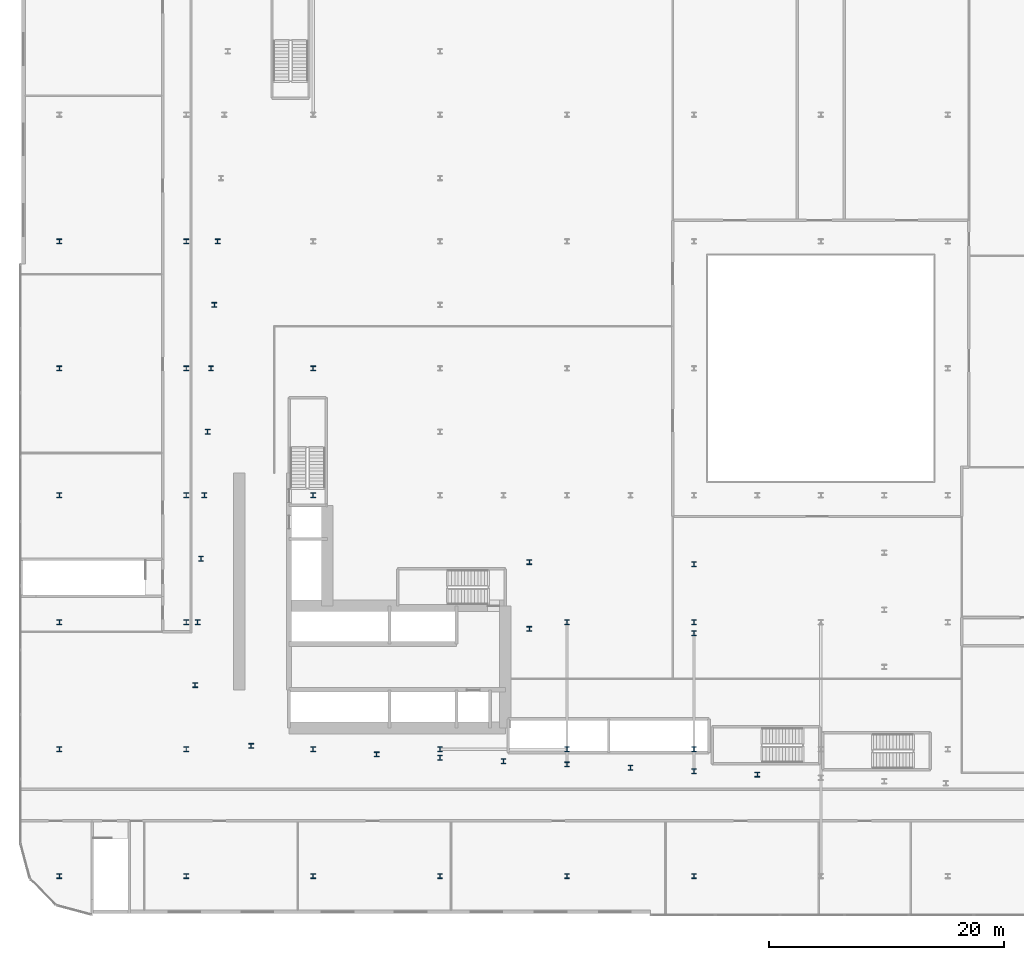
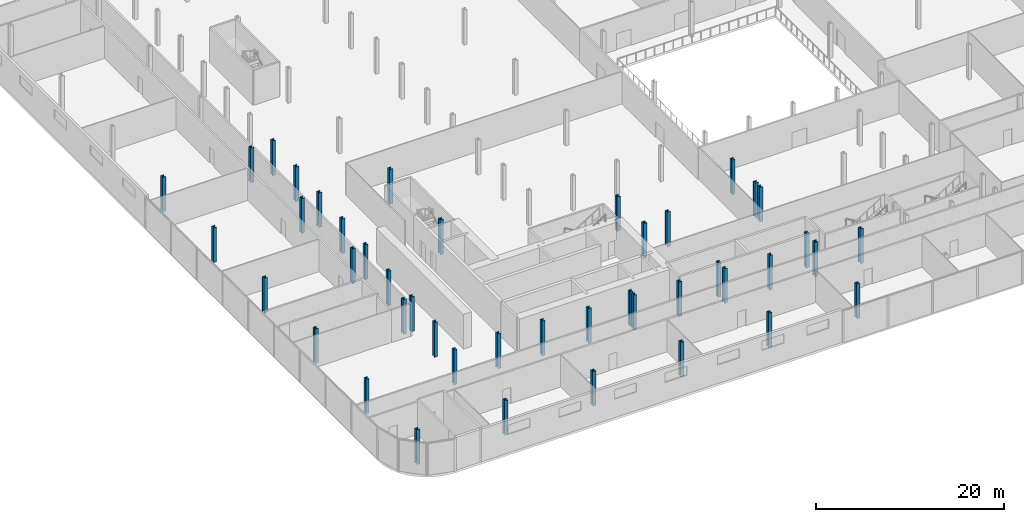
# One storey, part 1 of 43: 44 columns.
"""IFC4 building model written with IfcOpenShell, lengths in metres."""

import ifcopenshell
import ifcopenshell.guid

model = None  # the IFC model being written
_history = None  # IfcOwnerHistory: only IFC2X3 demands one
_inside = {}  # id of a spatial element -> (the spatial element, [elements in it])
_under = {}  # id of a project, library or spatial element -> (it, [spatial elements below it])
_declared = {}  # id of a project -> (the project, [libraries it declares])
_typed = {}  # id of a type object -> (the type object, [elements of that type])
_made_of = {}  # id of a material, layer set ... -> (it, [elements and type objects made of it])


def new_model(schema):
    """Start an empty IFC model of exactly this schema.

    Asked for "IFC4X3", IfcOpenShell would pick the latest addendum, in which some entities
    have other attributes; the version numbers below select the first issue.
    IFC2X3 requires an IfcOwnerHistory on every rooted entity: one is made here for all.
    """
    global model, _history
    if schema == "IFC4X3":
        model = ifcopenshell.file(schema_version=(4, 3, 0, 0))
    else:
        model = ifcopenshell.file(schema=schema)
    _inside.clear()
    _under.clear()
    _declared.clear()
    _typed.clear()
    _made_of.clear()
    _history = None
    if model.schema == "IFC2X3":
        org = make("IfcOrganization", Name="unknown")
        user = make(
            "IfcPersonAndOrganization",
            ThePerson=make("IfcPerson", FamilyName="unknown"),
            TheOrganization=org,
        )
        app = make(
            "IfcApplication",
            ApplicationDeveloper=org,
            Version="unknown",
            ApplicationFullName="unknown",
            ApplicationIdentifier="unknown",
        )
        _history = make(
            "IfcOwnerHistory",
            OwningUser=user,
            OwningApplication=app,
            ChangeAction="ADDED",
            CreationDate=0,
        )
    return model


def make(cls, **values):
    """One entity of the class cls with the attributes given. An attribute that is None is left unset."""
    return model.create_entity(
        cls, **{name: value for name, value in values.items() if value is not None}
    )


def rooted(cls, **values):
    """An entity with a GlobalId (a new one), such as an element, a storey or a relation."""
    return make(cls, GlobalId=ifcopenshell.guid.new(), OwnerHistory=_history, **values)


def si_unit(unit_type, name, prefix=None):
    """IfcSIUnit, for example si_unit("LENGTHUNIT", "METRE", prefix="MILLI")."""
    return make("IfcSIUnit", UnitType=unit_type, Prefix=prefix, Name=name)


def assignment(units):
    """IfcUnitAssignment: the units of a project."""
    return None if units is None else make("IfcUnitAssignment", Units=units)


def point(xyz):
    """IfcCartesianPoint."""
    return None if xyz is None else make("IfcCartesianPoint", Coordinates=xyz)


def direction(xyz):
    """IfcDirection."""
    return None if xyz is None else make("IfcDirection", DirectionRatios=xyz)


def frame(location, z_axis=None, x_axis=None):
    """IfcAxis2Placement3D, a coordinate frame: its origin and axes. An axis left out is left unset."""
    return make(
        "IfcAxis2Placement3D",
        Location=point(location),
        Axis=direction(z_axis),
        RefDirection=direction(x_axis),
    )


def frame_2d(location, x_axis=None):
    """IfcAxis2Placement2D, a coordinate frame in the plane: its origin and x axis."""
    return make(
        "IfcAxis2Placement2D", Location=point(location), RefDirection=direction(x_axis)
    )


def origin():
    """The frame at (0, 0, 0) with its axes left unset."""
    return frame((0.0, 0.0, 0.0))


def origin_2d():
    """The frame at (0, 0) in the plane with its x axis left unset."""
    return frame_2d((0.0, 0.0))


def place(relative_to, where):
    """IfcLocalPlacement: puts the frame where relative to a parent placement (None: the world)."""
    return make(
        "IfcLocalPlacement", PlacementRelTo=relative_to, RelativePlacement=where
    )


def context(
    kind, dimensions, precision=None, world=None, true_north=None, identifier=None
):
    """IfcGeometricRepresentationContext, for example the 3D "Model" context."""
    return make(
        "IfcGeometricRepresentationContext",
        ContextIdentifier=identifier,
        ContextType=kind,
        CoordinateSpaceDimension=dimensions,
        Precision=precision,
        WorldCoordinateSystem=world,
        TrueNorth=true_north,
    )


def subcontext(parent, identifier, kind, view, scale=None):
    """IfcGeometricRepresentationSubContext, for example "Body" below "Model"."""
    return make(
        "IfcGeometricRepresentationSubContext",
        ContextIdentifier=identifier,
        ContextType=kind,
        ParentContext=parent,
        TargetScale=scale,
        TargetView=view,
    )


def project(units=None, contexts=None):
    """IfcProject with its units and contexts."""
    return rooted(
        "IfcProject",
        Name="project",
        RepresentationContexts=contexts,
        UnitsInContext=assignment(units),
    )


def spatial(cls, under=None, at=None, **own):
    """A site, building, storey or space (cls), placed at a placement, below another one or the project."""
    s = rooted(cls, ObjectPlacement=at, **own)
    if under is not None:
        _under.setdefault(under.id(), (under, []))[1].append(s)
    return s


def profile(cls, at=None, kind="AREA", **sizes):
    """A parametric profile (cls). Its sizes go by their IFC names, for example OverallWidth=200.0."""
    return make(cls, ProfileType=kind, Position=at, **sizes)


def i_section(**sizes):
    """IfcIShapeProfileDef."""
    return profile("IfcIShapeProfileDef", **sizes)


def extrude(swept, where, along, depth):
    """IfcExtrudedAreaSolid: the profile swept, set in the frame where, extruded along a direction by depth."""
    return make(
        "IfcExtrudedAreaSolid",
        SweptArea=swept,
        Position=where,
        ExtrudedDirection=direction(along),
        Depth=depth,
    )


def shape(context_of_items, identifier, shape_type, items):
    """IfcShapeRepresentation: the items that make up one representation, for example the "Body"."""
    return make(
        "IfcShapeRepresentation",
        ContextOfItems=context_of_items,
        RepresentationIdentifier=identifier,
        RepresentationType=shape_type,
        Items=items,
    )


def material(Name=None, Category=None):
    """IfcMaterial."""
    return make("IfcMaterial", Name=Name, Category=Category)


def material_profile(
    of_material, cross_section, Name=None, Category=None, Priority=None
):
    """IfcMaterialProfile: a cross section and its material."""
    return make(
        "IfcMaterialProfile",
        Name=Name,
        Material=of_material,
        Profile=cross_section,
        Priority=Priority,
        Category=Category,
    )


def profile_set(profiles, Name=None, composite=None):
    """IfcMaterialProfileSet."""
    return make(
        "IfcMaterialProfileSet",
        Name=Name,
        MaterialProfiles=profiles,
        CompositeProfile=composite,
    )


def made_of(thing, what):
    """Note that an element or type object is made of a material, layer set ...; save() writes the relation."""
    if what is not None:
        _made_of.setdefault(what.id(), (what, []))[1].append(thing)
    return thing


def type_object(cls, material=None, **own):
    """A type object (cls), such as IfcWallType, which elements share."""
    return made_of(rooted(cls, **own), material)


def element(
    cls,
    number,
    at=None,
    inside=None,
    cuts=None,
    type_object=None,
    material=None,
    context=None,
    identifier="Body",
    shape_type=None,
    held_by="IfcProductDefinitionShape",
    body=None,
    shapes=None,
    **own,
):
    """One element of the class cls, such as IfcWall. Its Tag is "e" and its number.

    at: its placement. inside: the storey or other place that contains it. cuts: it is an
    opening in that element (IfcRelVoidsElement). A single representation is given by context,
    identifier, shape_type and body (its items); several are given by shapes. held_by: the class
    of the entity that holds the representations. save() writes the other relations.
    """
    e = rooted(cls, Tag="e%d" % number, ObjectPlacement=at, **own)
    if body is not None:
        shapes = [shape(context, identifier, shape_type, body)]
    if shapes is not None:
        e.Representation = make(held_by, Representations=shapes)
    if inside is not None:
        _inside.setdefault(inside.id(), (inside, []))[1].append(e)
    if cuts is not None:
        rooted(
            "IfcRelVoidsElement", RelatingBuildingElement=cuts, RelatedOpeningElement=e
        )
    if type_object is not None:
        _typed.setdefault(type_object.id(), (type_object, []))[1].append(e)
    return made_of(e, material)


def aggregate(whole, parts):
    """IfcRelAggregates: a whole, such as a stair, and the parts it consists of."""
    return rooted("IfcRelAggregates", RelatingObject=whole, RelatedObjects=parts)


def save(model, path):
    """Write the relations noted so far, then the file.

    IfcRelAggregates (storeys below a building ...), IfcRelContainedInSpatialStructure (elements
    in a storey), IfcRelDefinesByType, IfcRelAssociatesMaterial and IfcRelDeclares: one each for
    every whole, place, type object, material and project.
    """
    for whole, parts in _under.values():
        aggregate(whole, parts)
    for where, things in _inside.values():
        rooted(
            "IfcRelContainedInSpatialStructure",
            RelatedElements=things,
            RelatingStructure=where,
        )
    for kind, things in _typed.values():
        rooted("IfcRelDefinesByType", RelatedObjects=things, RelatingType=kind)
    for what, things in _made_of.values():
        rooted("IfcRelAssociatesMaterial", RelatedObjects=things, RelatingMaterial=what)
    for by, libraries in _declared.values():
        rooted("IfcRelDeclares", RelatingContext=by, RelatedDefinitions=libraries)
    model.write(path)


model = new_model("IFC4")

# Units and contexts
model_context = context("Model", 3, precision=1e-05, world=origin(), true_north=direction((0.0, 1.0)))
body_context = subcontext(model_context, "Body", "Model", "MODEL_VIEW")
ifc_project = project(units=[si_unit("LENGTHUNIT", "METRE"), si_unit("AREAUNIT", "SQUARE_METRE"), si_unit("VOLUMEUNIT", "CUBIC_METRE"), si_unit("PLANEANGLEUNIT", "RADIAN"), si_unit("MASSUNIT", "GRAM", prefix="KILO")], contexts=[model_context])

# Site, building, storey
site_placement = place(None, origin())
site = spatial("IfcSite", under=ifc_project, at=site_placement, CompositionType="ELEMENT")
building_placement = place(site_placement, origin())
building = spatial("IfcBuilding", under=site, at=building_placement, Name="Kheshtan School and Residences Tower", CompositionType="ELEMENT")
storey_placement = place(building_placement, frame((0.0, 0.0, 26.0)))
storey = spatial("IfcBuildingStorey", under=building, at=storey_placement, Name="L05", CompositionType="ELEMENT", Elevation=26.0)

# Columns
ifc_material = material(Name="Steel ASTM A992 Grade 50", Category="steel")
ifc_material_profile = material_profile(ifc_material, i_section(OverallWidth=0.408935546875, OverallDepth=0.425048828125, WebThickness=0.03271484375, FlangeThickness=0.052490234375, FilletRadius=0.0126953125, at=origin_2d()), Name="W360x421")
ifc_profile_set = profile_set([ifc_material_profile], Name="Steel ASTM A992 Grade 50")
column_type = type_object("IfcColumnType", Name="Column PC2 W360x421 ASTM A992 Grade 50", PredefinedType="COLUMN", material=ifc_profile_set)
for number, where, z_axis, x_axis, name in (
    (1, (15.199951171875, 13.199951171875, 0.0), (0.0, 0.0, 1.0), (1.0, 0.0, 0.0), "Column P-001"),
    (2, (26.0, 13.199951171875, 0.0), (0.0, 0.0, 1.0), (1.0, 0.0, 0.0), "Column P-002"),
    (3, (36.800048828125, 13.199951171875, 0.0), (0.0, 0.0, 1.0), (1.0, 0.0, 0.0), "Column P-003"),
    (4, (47.60009765625, 13.199951171875, 0.0), (0.0, 0.0, 1.0), (1.0, 0.0, 0.0), "Column P-004"),
    (5, (58.39990234375, 13.199951171875, 0.0), (0.0, 0.0, 1.0), (1.0, 0.0, 0.0), "Column P-005"),
    (6, (69.199951171875, 13.199951171875, 0.0), (0.0, 0.0, 1.0), (1.0, 0.0, 0.0), "Column P-006"),
    (7, (15.199951171875, 24.0, 0.0), (0.0, 0.0, 1.0), (1.0, 0.0, 0.0), "Column P-013"),
    (8, (26.0, 24.0, 0.0), (0.0, 0.0, 1.0), (1.0, 0.0, 0.0), "Column P-014"),
    (9, (36.800048828125, 24.0, 0.0), (0.0, 0.0, 1.0), (1.0, 0.0, 0.0), "Column P-015"),
    (10, (47.60009765625, 24.0, 0.0), (0.0, 0.0, 1.0), (1.0, 0.0, 0.0), "Column P-016"),
    (11, (58.39990234375, 24.0, 0.0), (0.0, 0.0, 1.0), (1.0, 0.0, 0.0), "Column P-017"),
    (12, (69.199951171875, 24.0, 0.0), (0.0, 0.0, 1.0), (1.0, 0.0, 0.0), "Column P-018"),
    (13, (15.199951171875, 34.800048828125, 0.0), (0.0, 0.0, 1.0), (1.0, 0.0, 0.0), "Column P-025"),
    (14, (26.0, 34.800048828125, 0.0), (0.0, 0.0, 1.0), (1.0, 0.0, 0.0), "Column P-026"),
    (15, (58.39990234375, 34.800048828125, 0.0), (0.0, 0.0, 1.0), (1.0, 0.0, 0.0), "Column P-029"),
    (16, (69.199951171875, 34.800048828125, 0.0), (0.0, 0.0, 1.0), (1.0, 0.0, 0.0), "Column P-030"),
    (17, (15.199951171875, 45.60009765625, 0.0), (0.0, 0.0, 1.0), (1.0, 0.0, 0.0), "Column P-037"),
    (18, (26.0, 45.60009765625, 0.0), (0.0, 0.0, 1.0), (1.0, 0.0, 0.0), "Column P-038"),
    (19, (36.800048828125, 45.60009765625, 0.0), (0.0, 0.0, 1.0), (1.0, 0.0, 0.0), "Column P-039"),
    (20, (15.199951171875, 56.39990234375, 0.0), (0.0, 0.0, 1.0), (1.0, 0.0, 0.0), "Column P-049"),
    (21, (26.0, 56.39990234375, 0.0), (0.0, 0.0, 1.0), (1.0, 0.0, 0.0), "Column P-050"),
    (22, (36.800048828125, 56.39990234375, 0.0), (0.0, 0.0, 1.0), (1.0, 0.0, 0.0), "Column P-051"),
    (23, (15.199951171875, 67.199951171875, 0.0), (0.0, 0.0, 1.0), (1.0, 0.0, 0.0), "Column P-061"),
    (24, (26.0, 67.199951171875, 0.0), (0.0, 0.0, 1.0), (1.0, 0.0, 0.0), "Column P-062"),
    (25, (74.60009765625, 21.840087890625, 0.0), (0.0, 0.0, 1.0), (1.0, 0.0, 0.0), "Transfer column X04"),
    (26, (69.199951171875, 22.1298828125, 0.0), (0.0, 0.0, 1.0), (1.0, 0.0, 0.0), "Transfer column X05"),
    (27, (63.800048828125, 22.409912109375, 0.0), (0.0, 0.0, 1.0), (1.0, 0.0, 0.0), "Transfer column X06"),
    (28, (58.39990234375, 22.699951171875, 0.0), (0.0, 0.0, 1.0), (1.0, 0.0, 0.0), "Transfer column X07"),
    (29, (53.0, 22.97998046875, 0.0), (0.0, 0.0, 1.0), (1.0, 0.0, 0.0), "Transfer column X08"),
    (30, (47.60009765625, 23.260009765625, 0.0), (0.0, 0.0, 1.0), (1.0, 0.0, 0.0), "Transfer column X09"),
    (31, (42.199951171875, 23.550048828125, 0.0), (0.0, 0.0, 1.0), (1.0, 0.0, 0.0), "Transfer column X10"),
    (32, (31.52001953125, 24.27001953125, 0.0), (0.0, 0.0, 1.0), (1.0, 0.0, 0.0), "Transfer column X11"),
    (33, (26.760009765625, 29.4599609375, 0.0), (0.0, 0.0, 1.0), (1.0, 0.0, 0.0), "Transfer column X12"),
    (34, (26.969970703125, 34.800048828125, 0.0), (0.0, 0.0, 1.0), (1.0, 0.0, 0.0), "Transfer column X13"),
    (35, (27.25, 40.199951171875, 0.0), (0.0, 0.0, 1.0), (1.0, 0.0, 0.0), "Transfer column X14"),
    (36, (27.5400390625, 45.60009765625, 0.0), (0.0, 0.0, 1.0), (1.0, 0.0, 0.0), "Transfer column X15"),
    (37, (27.820068359375, 51.0, 0.0), (0.0, 0.0, 1.0), (1.0, 0.0, 0.0), "Transfer column X20"),
    (38, (28.110107421875, 56.39990234375, 0.0), (0.0, 0.0, 1.0), (1.0, 0.0, 0.0), "Transfer column X22"),
    (39, (28.389892578125, 61.800048828125, 0.0), (0.0, 0.0, 1.0), (1.0, 0.0, 0.0), "Transfer column X23"),
    (40, (28.669921875, 67.199951171875, 0.0), (0.0, 0.0, 1.0), (1.0, 0.0, 0.0), "Transfer column X25"),
    (41, (69.199951171875, 33.860107421875, 0.0), (0.0, 0.0, 1.0), (1.0, 0.0, 0.0), "Transfer column X36"),
    (42, (55.199951171875, 34.22998046875, 0.0), (0.0, 0.0, 1.0), (1.0, 0.0, 0.0), "Transfer column X37"),
    (43, (69.199951171875, 39.72998046875, 0.0), (0.0, 0.0, 1.0), (1.0, 0.0, 0.0), "Transfer column X39"),
    (44, (55.199951171875, 39.919921875, 0.0), (0.0, 0.0, 1.0), (1.0, 0.0, 0.0), "Transfer column X40"),
):
    element("IfcColumn", number, at=place(storey_placement, frame(where, z_axis=z_axis, x_axis=x_axis)), inside=storey, type_object=column_type, Name=name, PredefinedType="COLUMN", context=body_context, shape_type="SweptSolid", body=[
        extrude(i_section(OverallWidth=0.408935546875, OverallDepth=0.425048828125, WebThickness=0.03271484375, FlangeThickness=0.052490234375, FilletRadius=0.0126953125, at=origin_2d()), origin(), (0.0, 0.0, 1.0), 4.5),
    ])

save(model, "model.ifc")
